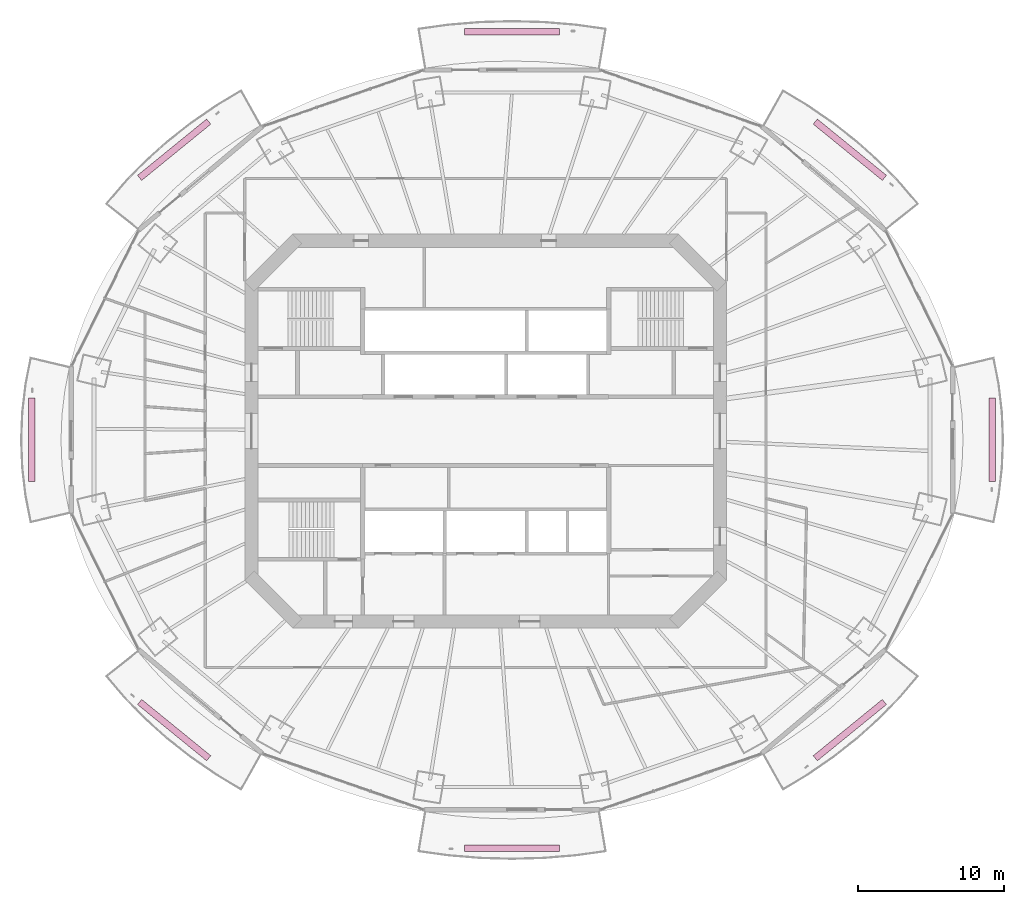
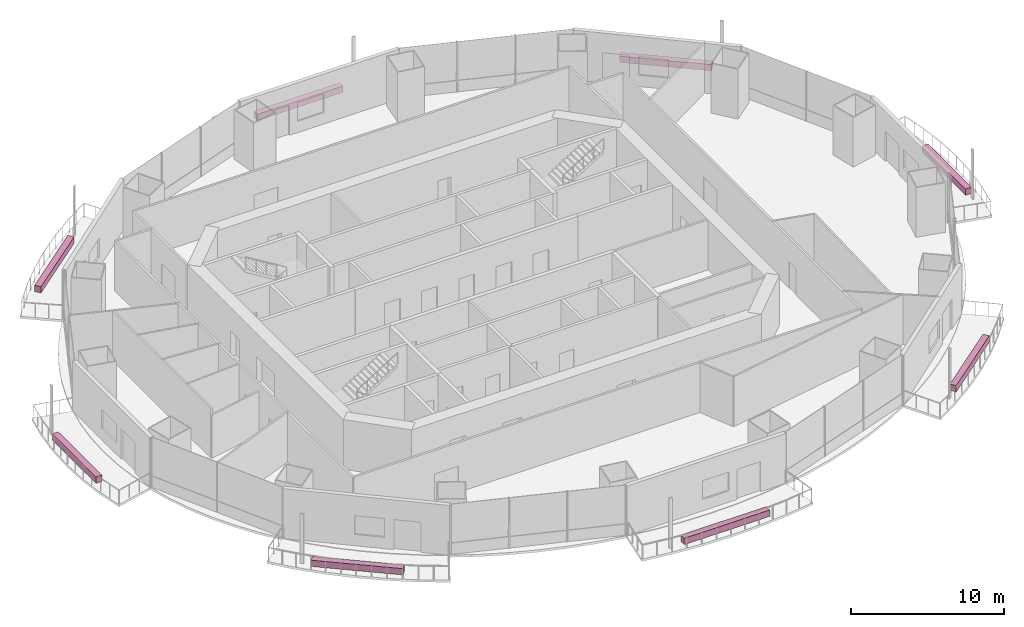
# One storey, part 19 of 19: 8 furnishings.
"""IFC4 building model written with IfcOpenShell, lengths in metres."""

from ifc_helpers import new_model, si_unit, direction, frame, origin, origin_2d, place, context, subcontext, project, spatial, rectangle, extrude, material, type_object, element, save


model = new_model("IFC4")

# Units and contexts
model_context = context("Model", 3, precision=1e-05, world=origin(), true_north=direction((0.0, 1.0)))
body_context = subcontext(model_context, "Body", "Model", "MODEL_VIEW")
ifc_project = project(units=[si_unit("LENGTHUNIT", "METRE"), si_unit("AREAUNIT", "SQUARE_METRE"), si_unit("VOLUMEUNIT", "CUBIC_METRE"), si_unit("PLANEANGLEUNIT", "RADIAN"), si_unit("MASSUNIT", "GRAM", prefix="KILO")], contexts=[model_context])

# Site, building, storey
site_placement = place(None, origin())
site = spatial("IfcSite", under=ifc_project, at=site_placement, CompositionType="ELEMENT")
building_placement = place(site_placement, origin())
building = spatial("IfcBuilding", under=site, at=building_placement, Name="Marenthal Gate Tower", CompositionType="ELEMENT")
storey_placement = place(building_placement, frame((0.0, 0.0, 223.300048828125)))
storey = spatial("IfcBuildingStorey", under=building, at=storey_placement, Name="L49", CompositionType="ELEMENT", Elevation=223.300048828125)

# Furnishings
ifc_material = material(Name="Planting soil and foliage", Category="planting")
furnishing_element_type = type_object("IfcFurnishingElementType", Name="Balcony PLANTER trough", material=ifc_material)
furnishing_1_placement = place(storey_placement, frame((24.87744140625, 19.22314453125, -0.0400390625), z_axis=(0.0, 0.0, 1.0), x_axis=(-0.775431645029, 0.631431519555, 0.0)))
element("IfcFurnishingElement", 1, at=furnishing_1_placement, inside=storey, type_object=furnishing_element_type, Name="Balcony PLANTER L49 bay 2", ObjectType="PLANTER", context=body_context, shape_type="SweptSolid", body=[
    extrude(rectangle(XDim=6.08984375, YDim=0.449951171875, at=origin_2d()), origin(), (0.0, 0.0, 1.0), 0.5),
])
furnishing_2_placement = place(storey_placement, frame((1.800048828125, 27.280029296875, -0.0400390625), z_axis=(0.0, 0.0, 1.0), x_axis=(-1.0, 0.0, 0.0)))
element("IfcFurnishingElement", 2, at=furnishing_2_placement, inside=storey, type_object=furnishing_element_type, Name="Balcony PLANTER L49 bay 4", ObjectType="PLANTER", context=body_context, shape_type="SweptSolid", body=[
    extrude(rectangle(XDim=6.471923828125, YDim=0.449951171875, at=origin_2d()), origin(), (0.0, 0.0, 1.0), 0.5),
])
furnishing_3_placement = place(storey_placement, frame((-21.27734375, 19.22314453125, -0.0400390625), z_axis=(0.0, 0.0, 1.0), x_axis=(-0.775431645029, -0.631431519555, 0.0)))
element("IfcFurnishingElement", 3, at=furnishing_3_placement, inside=storey, type_object=furnishing_element_type, Name="Balcony PLANTER L49 bay 6", ObjectType="PLANTER", context=body_context, shape_type="SweptSolid", body=[
    extrude(rectangle(XDim=6.08984375, YDim=0.449951171875, at=origin_2d()), origin(), (0.0, 0.0, 1.0), 0.5),
])
furnishing_4_placement = place(storey_placement, frame((-31.0029296875, -0.60009765625, -0.0400390625), z_axis=(0.0, 0.0, 1.0), x_axis=(0.0, -1.0, 0.0)))
element("IfcFurnishingElement", 4, at=furnishing_4_placement, inside=storey, type_object=furnishing_element_type, Name="Balcony PLANTER L49 bay 8", ObjectType="PLANTER", context=body_context, shape_type="SweptSolid", body=[
    extrude(rectangle(XDim=5.695068359375, YDim=0.449951171875, at=origin_2d()), origin(), (0.0, 0.0, 1.0), 0.5),
])
furnishing_5_placement = place(storey_placement, frame((-21.27734375, -20.423095703125, -0.0400390625), z_axis=(0.0, 0.0, 1.0), x_axis=(0.775431645029, -0.631431519555, 0.0)))
element("IfcFurnishingElement", 5, at=furnishing_5_placement, inside=storey, type_object=furnishing_element_type, Name="Balcony PLANTER L49 bay 10", ObjectType="PLANTER", context=body_context, shape_type="SweptSolid", body=[
    extrude(rectangle(XDim=6.08984375, YDim=0.449951171875, at=origin_2d()), origin(), (0.0, 0.0, 1.0), 0.5),
])
furnishing_6_placement = place(storey_placement, frame((1.800048828125, -28.47998046875, -0.0400390625), z_axis=(0.0, 0.0, 1.0), x_axis=(1.0, 0.0, 0.0)))
element("IfcFurnishingElement", 6, at=furnishing_6_placement, inside=storey, type_object=furnishing_element_type, Name="Balcony PLANTER L49 bay 12", ObjectType="PLANTER", context=body_context, shape_type="SweptSolid", body=[
    extrude(rectangle(XDim=6.471923828125, YDim=0.449951171875, at=origin_2d()), origin(), (0.0, 0.0, 1.0), 0.5),
])
furnishing_7_placement = place(storey_placement, frame((24.87744140625, -20.423095703125, -0.0400390625), z_axis=(0.0, 0.0, 1.0), x_axis=(0.775431645029, 0.631431519555, 0.0)))
element("IfcFurnishingElement", 7, at=furnishing_7_placement, inside=storey, type_object=furnishing_element_type, Name="Balcony PLANTER L49 bay 14", ObjectType="PLANTER", context=body_context, shape_type="SweptSolid", body=[
    extrude(rectangle(XDim=6.08984375, YDim=0.449951171875, at=origin_2d()), origin(), (0.0, 0.0, 1.0), 0.5),
])
furnishing_8_placement = place(storey_placement, frame((34.60302734375, -0.60009765625, -0.0400390625), z_axis=(0.0, 0.0, 1.0), x_axis=(0.0, 1.0, 0.0)))
element("IfcFurnishingElement", 8, at=furnishing_8_placement, inside=storey, type_object=furnishing_element_type, Name="Balcony PLANTER L49 bay 16", ObjectType="PLANTER", context=body_context, shape_type="SweptSolid", body=[
    extrude(rectangle(XDim=5.695068359375, YDim=0.449951171875, at=origin_2d()), origin(), (0.0, 0.0, 1.0), 0.5),
])

save(model, "model.ifc")
